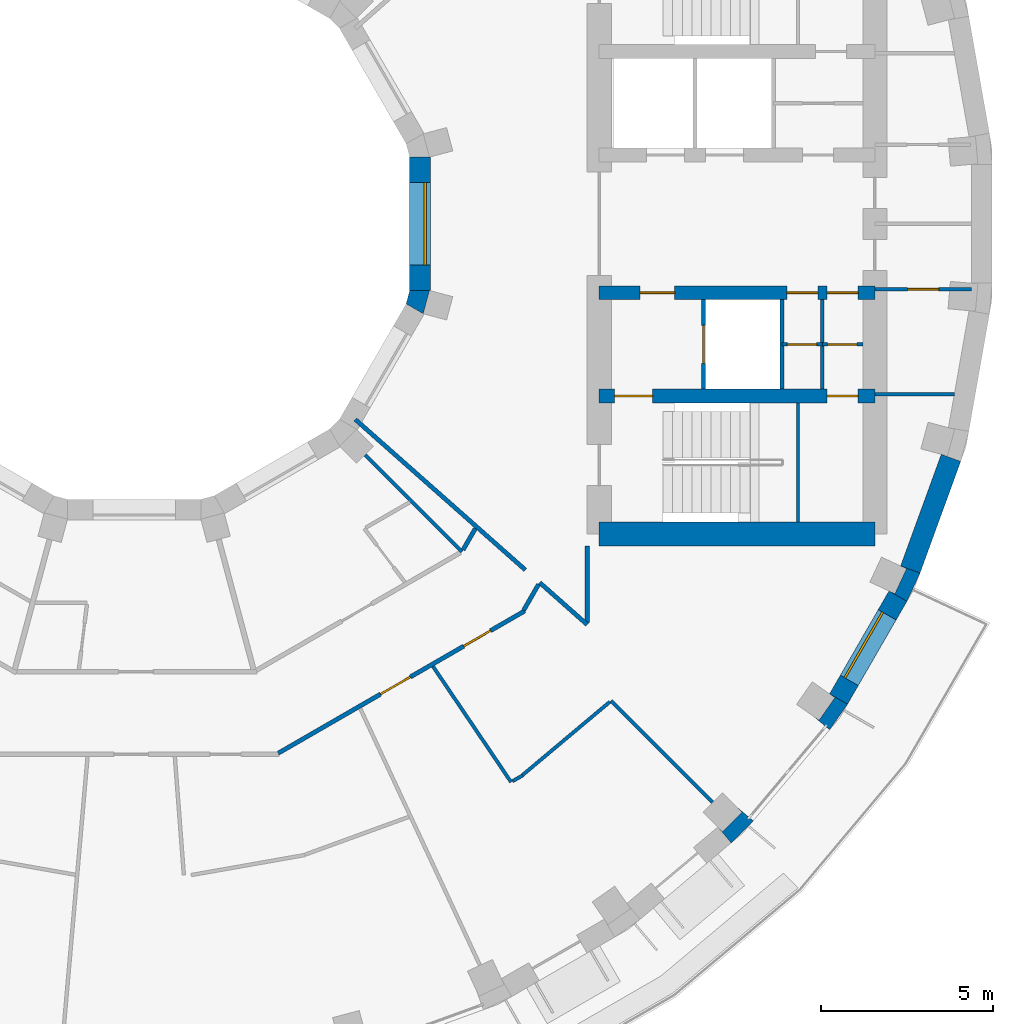
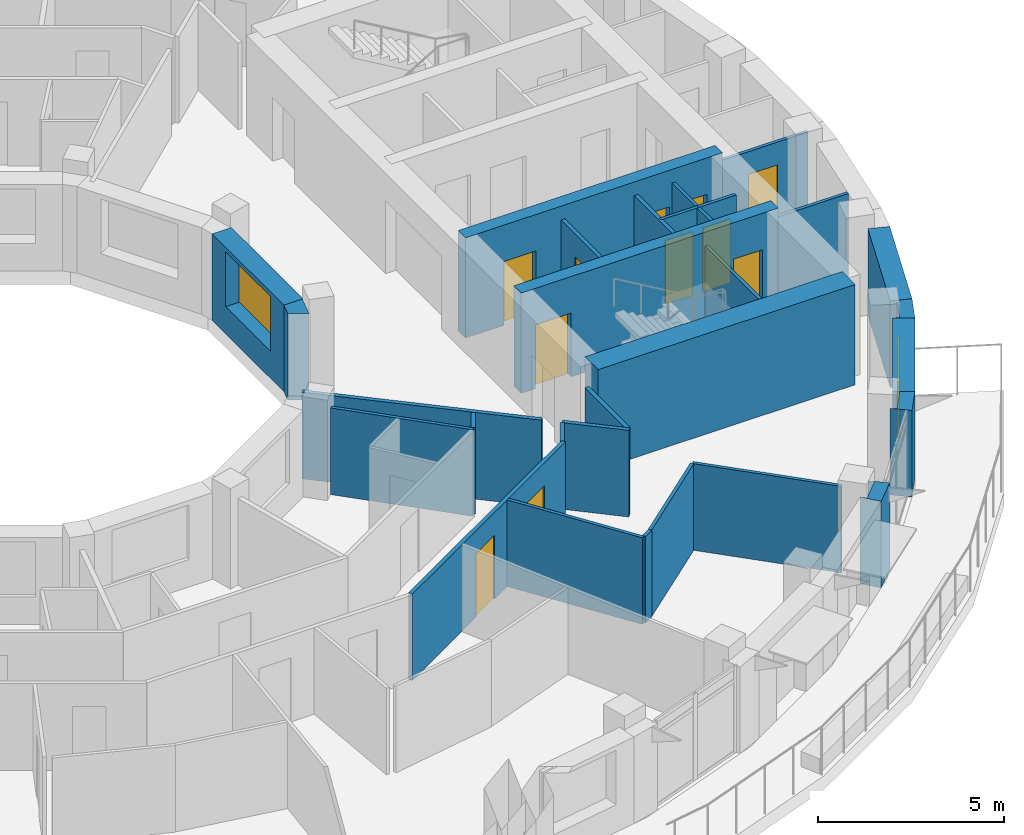
# One storey, part 9 of 15: 29 walls, 11 doors, 2 windows, 13 openings.
"""IFC4 building model written with IfcOpenShell, lengths in metres."""

import ifcopenshell
import ifcopenshell.guid

model = None  # the IFC model being written
_history = None  # IfcOwnerHistory: only IFC2X3 demands one
_inside = {}  # id of a spatial element -> (the spatial element, [elements in it])
_under = {}  # id of a project, library or spatial element -> (it, [spatial elements below it])
_declared = {}  # id of a project -> (the project, [libraries it declares])
_typed = {}  # id of a type object -> (the type object, [elements of that type])
_made_of = {}  # id of a material, layer set ... -> (it, [elements and type objects made of it])


def new_model(schema):
    """Start an empty IFC model of exactly this schema.

    Asked for "IFC4X3", IfcOpenShell would pick the latest addendum, in which some entities
    have other attributes; the version numbers below select the first issue.
    IFC2X3 requires an IfcOwnerHistory on every rooted entity: one is made here for all.
    """
    global model, _history
    if schema == "IFC4X3":
        model = ifcopenshell.file(schema_version=(4, 3, 0, 0))
    else:
        model = ifcopenshell.file(schema=schema)
    _inside.clear()
    _under.clear()
    _declared.clear()
    _typed.clear()
    _made_of.clear()
    _history = None
    if model.schema == "IFC2X3":
        org = make("IfcOrganization", Name="unknown")
        user = make(
            "IfcPersonAndOrganization",
            ThePerson=make("IfcPerson", FamilyName="unknown"),
            TheOrganization=org,
        )
        app = make(
            "IfcApplication",
            ApplicationDeveloper=org,
            Version="unknown",
            ApplicationFullName="unknown",
            ApplicationIdentifier="unknown",
        )
        _history = make(
            "IfcOwnerHistory",
            OwningUser=user,
            OwningApplication=app,
            ChangeAction="ADDED",
            CreationDate=0,
        )
    return model


def make(cls, **values):
    """One entity of the class cls with the attributes given. An attribute that is None is left unset."""
    return model.create_entity(
        cls, **{name: value for name, value in values.items() if value is not None}
    )


def rooted(cls, **values):
    """An entity with a GlobalId (a new one), such as an element, a storey or a relation."""
    return make(cls, GlobalId=ifcopenshell.guid.new(), OwnerHistory=_history, **values)


def si_unit(unit_type, name, prefix=None):
    """IfcSIUnit, for example si_unit("LENGTHUNIT", "METRE", prefix="MILLI")."""
    return make("IfcSIUnit", UnitType=unit_type, Prefix=prefix, Name=name)


def assignment(units):
    """IfcUnitAssignment: the units of a project."""
    return None if units is None else make("IfcUnitAssignment", Units=units)


def point(xyz):
    """IfcCartesianPoint."""
    return None if xyz is None else make("IfcCartesianPoint", Coordinates=xyz)


def direction(xyz):
    """IfcDirection."""
    return None if xyz is None else make("IfcDirection", DirectionRatios=xyz)


def frame(location, z_axis=None, x_axis=None):
    """IfcAxis2Placement3D, a coordinate frame: its origin and axes. An axis left out is left unset."""
    return make(
        "IfcAxis2Placement3D",
        Location=point(location),
        Axis=direction(z_axis),
        RefDirection=direction(x_axis),
    )


def frame_2d(location, x_axis=None):
    """IfcAxis2Placement2D, a coordinate frame in the plane: its origin and x axis."""
    return make(
        "IfcAxis2Placement2D", Location=point(location), RefDirection=direction(x_axis)
    )


def origin():
    """The frame at (0, 0, 0) with its axes left unset."""
    return frame((0.0, 0.0, 0.0))


def place(relative_to, where):
    """IfcLocalPlacement: puts the frame where relative to a parent placement (None: the world)."""
    return make(
        "IfcLocalPlacement", PlacementRelTo=relative_to, RelativePlacement=where
    )


def context(
    kind, dimensions, precision=None, world=None, true_north=None, identifier=None
):
    """IfcGeometricRepresentationContext, for example the 3D "Model" context."""
    return make(
        "IfcGeometricRepresentationContext",
        ContextIdentifier=identifier,
        ContextType=kind,
        CoordinateSpaceDimension=dimensions,
        Precision=precision,
        WorldCoordinateSystem=world,
        TrueNorth=true_north,
    )


def subcontext(parent, identifier, kind, view, scale=None):
    """IfcGeometricRepresentationSubContext, for example "Body" below "Model"."""
    return make(
        "IfcGeometricRepresentationSubContext",
        ContextIdentifier=identifier,
        ContextType=kind,
        ParentContext=parent,
        TargetScale=scale,
        TargetView=view,
    )


def project(units=None, contexts=None):
    """IfcProject with its units and contexts."""
    return rooted(
        "IfcProject",
        Name="project",
        RepresentationContexts=contexts,
        UnitsInContext=assignment(units),
    )


def spatial(cls, under=None, at=None, **own):
    """A site, building, storey or space (cls), placed at a placement, below another one or the project."""
    s = rooted(cls, ObjectPlacement=at, **own)
    if under is not None:
        _under.setdefault(under.id(), (under, []))[1].append(s)
    return s


def polyline(points):
    """IfcPolyline through the points."""
    return make("IfcPolyline", Points=[point(p) for p in points])


def profile(cls, at=None, kind="AREA", **sizes):
    """A parametric profile (cls). Its sizes go by their IFC names, for example OverallWidth=200.0."""
    return make(cls, ProfileType=kind, Position=at, **sizes)


def rectangle(**sizes):
    """IfcRectangleProfileDef."""
    return profile("IfcRectangleProfileDef", **sizes)


def outline(outer, holes=None, kind="AREA"):
    """IfcArbitraryClosedProfileDef: a profile drawn as a closed curve; with holes, ...WithVoids."""
    if holes is None:
        return make("IfcArbitraryClosedProfileDef", ProfileType=kind, OuterCurve=outer)
    return make(
        "IfcArbitraryProfileDefWithVoids",
        ProfileType=kind,
        OuterCurve=outer,
        InnerCurves=holes,
    )


def extrude(swept, where, along, depth):
    """IfcExtrudedAreaSolid: the profile swept, set in the frame where, extruded along a direction by depth."""
    return make(
        "IfcExtrudedAreaSolid",
        SweptArea=swept,
        Position=where,
        ExtrudedDirection=direction(along),
        Depth=depth,
    )


def shape(context_of_items, identifier, shape_type, items):
    """IfcShapeRepresentation: the items that make up one representation, for example the "Body"."""
    return make(
        "IfcShapeRepresentation",
        ContextOfItems=context_of_items,
        RepresentationIdentifier=identifier,
        RepresentationType=shape_type,
        Items=items,
    )


def material(Name=None, Category=None):
    """IfcMaterial."""
    return make("IfcMaterial", Name=Name, Category=Category)


def layer(
    of_material, thickness, ventilated=None, Name=None, Category=None, Priority=None
):
    """IfcMaterialLayer: one layer of a wall or slab, of a material (None: an air gap)."""
    return make(
        "IfcMaterialLayer",
        Material=of_material,
        LayerThickness=thickness,
        IsVentilated=ventilated,
        Name=Name,
        Category=Category,
        Priority=Priority,
    )


def layer_set(layers, Name=None):
    """IfcMaterialLayerSet."""
    return make("IfcMaterialLayerSet", MaterialLayers=layers, LayerSetName=Name)


def made_of(thing, what):
    """Note that an element or type object is made of a material, layer set ...; save() writes the relation."""
    if what is not None:
        _made_of.setdefault(what.id(), (what, []))[1].append(thing)
    return thing


def type_object(cls, material=None, **own):
    """A type object (cls), such as IfcWallType, which elements share."""
    return made_of(rooted(cls, **own), material)


def element(
    cls,
    number,
    at=None,
    inside=None,
    cuts=None,
    type_object=None,
    material=None,
    context=None,
    identifier="Body",
    shape_type=None,
    held_by="IfcProductDefinitionShape",
    body=None,
    shapes=None,
    **own,
):
    """One element of the class cls, such as IfcWall. Its Tag is "e" and its number.

    at: its placement. inside: the storey or other place that contains it. cuts: it is an
    opening in that element (IfcRelVoidsElement). A single representation is given by context,
    identifier, shape_type and body (its items); several are given by shapes. held_by: the class
    of the entity that holds the representations. save() writes the other relations.
    """
    e = rooted(cls, Tag="e%d" % number, ObjectPlacement=at, **own)
    if body is not None:
        shapes = [shape(context, identifier, shape_type, body)]
    if shapes is not None:
        e.Representation = make(held_by, Representations=shapes)
    if inside is not None:
        _inside.setdefault(inside.id(), (inside, []))[1].append(e)
    if cuts is not None:
        rooted(
            "IfcRelVoidsElement", RelatingBuildingElement=cuts, RelatedOpeningElement=e
        )
    if type_object is not None:
        _typed.setdefault(type_object.id(), (type_object, []))[1].append(e)
    return made_of(e, material)


def fill(opening, filler):
    """IfcRelFillsElement: the door or window that sits in an opening."""
    return rooted(
        "IfcRelFillsElement",
        RelatingOpeningElement=opening,
        RelatedBuildingElement=filler,
    )


def aggregate(whole, parts):
    """IfcRelAggregates: a whole, such as a stair, and the parts it consists of."""
    return rooted("IfcRelAggregates", RelatingObject=whole, RelatedObjects=parts)


def save(model, path):
    """Write the relations noted so far, then the file.

    IfcRelAggregates (storeys below a building ...), IfcRelContainedInSpatialStructure (elements
    in a storey), IfcRelDefinesByType, IfcRelAssociatesMaterial and IfcRelDeclares: one each for
    every whole, place, type object, material and project.
    """
    for whole, parts in _under.values():
        aggregate(whole, parts)
    for where, things in _inside.values():
        rooted(
            "IfcRelContainedInSpatialStructure",
            RelatedElements=things,
            RelatingStructure=where,
        )
    for kind, things in _typed.values():
        rooted("IfcRelDefinesByType", RelatedObjects=things, RelatingType=kind)
    for what, things in _made_of.values():
        rooted("IfcRelAssociatesMaterial", RelatedObjects=things, RelatingMaterial=what)
    for by, libraries in _declared.values():
        rooted("IfcRelDeclares", RelatingContext=by, RelatedDefinitions=libraries)
    model.write(path)


model = new_model("IFC4")

# Units and contexts
model_context = context("Model", 3, precision=1e-05, world=origin(), true_north=direction((0.0, 1.0)))
body_context = subcontext(model_context, "Body", "Model", "MODEL_VIEW")
ifc_project = project(units=[si_unit("LENGTHUNIT", "METRE"), si_unit("AREAUNIT", "SQUARE_METRE"), si_unit("VOLUMEUNIT", "CUBIC_METRE"), si_unit("PLANEANGLEUNIT", "RADIAN"), si_unit("MASSUNIT", "GRAM", prefix="KILO")], contexts=[model_context])

# Site, building, storey
site_placement = place(None, origin())
site = spatial("IfcSite", under=ifc_project, at=site_placement, CompositionType="ELEMENT")
building_placement = place(site_placement, origin())
building = spatial("IfcBuilding", under=site, at=building_placement, Name="Saqina Gate Tower", CompositionType="ELEMENT")
storey_placement = place(building_placement, frame((0.0, 0.0, 164.10009765625)))
storey = spatial("IfcBuildingStorey", under=building, at=storey_placement, Name="L46", CompositionType="ELEMENT", Elevation=164.10009765625)

# Walls
ifc_material_1 = material(Name="Brick masonry (buff)", Category="masonry")
wall_type_1 = type_object("IfcWallType", Name="BRICK PIER COPING BUFF", PredefinedType="SOLIDWALL", material=ifc_material_1)
wall_1_placement = place(storey_placement, origin())
element("IfcWall", 1, at=wall_1_placement, inside=storey, type_object=wall_type_1, Name="Pier cap L46 column 32", PredefinedType="SOLIDWALL", context=body_context, shape_type="SweptSolid", body=[
    extrude(outline(polyline([(17.969482421875, -17.329833984375), (17.510009765625, -16.944091796875), (17.642333984375, -17.07666015625), (17.07666015625, -17.642333984375), (16.944091796875, -17.510009765625), (17.329833984375, -17.969482421875), (17.969482421875, -17.329833984375)])), origin(), (0.0, 0.0, 1.0), 2.849853515625),
])
wall_2_placement = place(storey_placement, origin())
element("IfcWall", 2, at=wall_2_placement, inside=storey, type_object=wall_type_1, Name="Pier cap L46 column 33", PredefinedType="SOLIDWALL", context=body_context, shape_type="SweptSolid", body=[
    extrude(outline(polyline([(20.18701171875, -14.687255859375), (20.705810546875, -13.9462890625), (20.186279296875, -13.646240234375), (20.339599609375, -13.753662109375), (19.880859375, -14.408935546875), (19.727294921875, -14.301513671875), (20.18701171875, -14.687255859375)])), origin(), (0.0, 0.0, 1.0), 2.849853515625),
])
wall_3_placement = place(storey_placement, origin())
element("IfcWall", 3, at=wall_3_placement, inside=storey, type_object=wall_type_1, Name="Pier cap L46 column 34", PredefinedType="SOLIDWALL", context=body_context, shape_type="SweptSolid", body=[
    extrude(outline(polyline([(22.81298828125, -10.138916015625), (22.249267578125, -9.93359375), (22.4189453125, -10.0126953125), (22.080810546875, -10.73779296875), (21.9111328125, -10.65869140625), (22.4306640625, -10.958740234375), (22.81298828125, -10.138916015625)])), origin(), (0.0, 0.0, 1.0), 2.849853515625),
])
ifc_material_2 = material(Name="Gypsum board on steel studs", Category="steel")
ifc_layer_1 = layer(ifc_material_2, 0.10009765625)
ifc_layer_set_1 = layer_set([ifc_layer_1], Name="CORE PARTITION")
wall_type_2 = type_object("IfcWallType", Name="CORE PARTITION", PredefinedType="PARTITIONING", material=ifc_layer_set_1)
wall_4_placement = place(storey_placement, frame((21.5, -4.949951171875, 0.0), z_axis=(0.0, 0.0, 1.0), x_axis=(1.0, 0.0, 0.0)))
element("IfcWall", 4, at=wall_4_placement, inside=storey, type_object=wall_type_2, Name="L46-CP-E03", PredefinedType="PARTITIONING", context=body_context, shape_type="SweptSolid", body=[
    extrude(rectangle(XDim=2.306884765625, YDim=0.10009765625, at=frame_2d((1.1533203125, 0.0))), origin(), (0.0, 0.0, 1.0), 2.849853515625),
])

# Wall, opening, door
wall_5_placement = place(storey_placement, frame((21.5, -1.89990234375, 0.0), z_axis=(0.0, 0.0, 1.0), x_axis=(1.0, 0.0, 0.0)))
wall_5 = element("IfcWall", 5, at=wall_5_placement, inside=storey, type_object=wall_type_2, Name="L46-CP-E04", PredefinedType="PARTITIONING", context=body_context, shape_type="SweptSolid", body=[
    extrude(rectangle(XDim=2.804931640625, YDim=0.10009765625, at=frame_2d((1.40234375, 0.0))), origin(), (0.0, 0.0, 1.0), 2.849853515625),
])
opening_1_placement = place(wall_5_placement, frame((0.952392578125, 0.0, 0.0)))
opening_1 = element("IfcOpeningElement", 6, at=opening_1_placement, cuts=wall_5, Name="Opening G13-D97", PredefinedType="OPENING", context=body_context, shape_type="SweptSolid", body=[
    extrude(rectangle(XDim=0.89990234375, YDim=2.10009765625, at=frame_2d((0.449951171875, 1.050048828125))), frame((0.0, 0.06201171875, 0.0), z_axis=(0.0, -1.0, 0.0), x_axis=(1.0, 0.0, 0.0)), (0.0, 0.0, 1.0), 0.1240234375),
])
ifc_material_3 = material(Name="Steel-framed fire door leaf, EI 60", Category="steel")
door_type_1 = type_object("IfcDoorType", Name="SERVICE ROOM DOOR 900", OperationType="SINGLE_SWING_LEFT", PredefinedType="DOOR", material=ifc_material_3)
door_1_placement = place(opening_1_placement, frame((0.89990234375, 0.0, 0.0), z_axis=(0.0, 0.0, 1.0), x_axis=(-1.0, 0.0, 0.0)))
door_1 = element("IfcDoor", 7, at=door_1_placement, inside=storey, type_object=door_type_1, Name="L46-CD-E07", OperationType="SINGLE_SWING_RIGHT", OverallHeight=2.10009765625, OverallWidth=0.89990234375, PredefinedType="DOOR", context=body_context, shape_type="SweptSolid", body=[
    extrude(rectangle(XDim=0.89990234375, YDim=2.10009765625, at=frame_2d((0.449951171875, 1.050048828125))), frame((0.0, 0.02490234375, 0.0), z_axis=(0.0, -1.0, 0.0), x_axis=(1.0, 0.0, 0.0)), (0.0, 0.0, 1.0), 0.050048828125),
])
fill(opening_1, door_1)

# Wall
wall_6_placement = place(storey_placement, frame((19.97998046875, -4.800048828125, 0.0), z_axis=(0.0, 0.0, 1.0), x_axis=(0.0, 1.0, 0.0)))
element("IfcWall", 8, at=wall_6_placement, inside=storey, type_object=wall_type_2, Name="L46-CP-E10", PredefinedType="PARTITIONING", context=body_context, shape_type="SweptSolid", body=[
    extrude(rectangle(XDim=2.60009765625, YDim=0.10009765625, at=frame_2d((1.300048828125, 0.0))), origin(), (0.0, 0.0, 1.0), 2.849853515625),
])

# Wall, opening, door
wall_7_placement = place(storey_placement, frame((18.81005859375, -3.5, 0.0), z_axis=(0.0, 0.0, 1.0), x_axis=(1.0, 0.0, 0.0)))
wall_7 = element("IfcWall", 9, at=wall_7_placement, inside=storey, type_object=wall_type_2, Name="L46-CP-E12", PredefinedType="PARTITIONING", context=body_context, shape_type="SweptSolid", body=[
    extrude(rectangle(XDim=1.169921875, YDim=0.10009765625, at=frame_2d((0.5849609375, 0.0))), origin(), (0.0, 0.0, 1.0), 2.849853515625),
])
opening_2_placement = place(wall_7_placement, frame((0.14990234375, 0.0, 0.0)))
opening_2 = element("IfcOpeningElement", 10, at=opening_2_placement, cuts=wall_7, Name="Opening G13-D101", PredefinedType="OPENING", context=body_context, shape_type="SweptSolid", body=[
    extrude(rectangle(XDim=0.85009765625, YDim=2.10009765625, at=frame_2d((0.425048828125, 1.050048828125))), frame((0.0, 0.06201171875, 0.0), z_axis=(0.0, -1.0, 0.0), x_axis=(1.0, 0.0, 0.0)), (0.0, 0.0, 1.0), 0.1240234375),
])
ifc_material_4 = material(Name="Steel-framed fire door leaf, EI 60", Category="steel")
door_type_2 = type_object("IfcDoorType", Name="SERVICE ROOM DOOR 850", OperationType="SINGLE_SWING_LEFT", PredefinedType="DOOR", material=ifc_material_4)
door_2_placement = place(opening_2_placement, frame((0.85009765625, 0.0, 0.0), z_axis=(0.0, 0.0, 1.0), x_axis=(-1.0, 0.0, 0.0)))
door_2 = element("IfcDoor", 11, at=door_2_placement, inside=storey, type_object=door_type_2, Name="L46-CD-E11", OperationType="SINGLE_SWING_RIGHT", OverallHeight=2.10009765625, OverallWidth=0.85009765625, PredefinedType="DOOR", context=body_context, shape_type="SweptSolid", body=[
    extrude(rectangle(XDim=0.85009765625, YDim=2.10009765625, at=frame_2d((0.425048828125, 1.050048828125))), frame((0.0, 0.02490234375, 0.0), z_axis=(0.0, -1.0, 0.0), x_axis=(1.0, 0.0, 0.0)), (0.0, 0.0, 1.0), 0.050048828125),
])
fill(opening_2, door_2)

wall_8_placement = place(storey_placement, frame((19.97998046875, -3.5, 0.0), z_axis=(0.0, 0.0, 1.0), x_axis=(1.0, 0.0, 0.0)))
wall_8 = element("IfcWall", 12, at=wall_8_placement, inside=storey, type_object=wall_type_2, Name="L46-CP-E13", PredefinedType="PARTITIONING", context=body_context, shape_type="SweptSolid", body=[
    extrude(rectangle(XDim=1.169921875, YDim=0.10009765625, at=frame_2d((0.5849609375, 0.0))), origin(), (0.0, 0.0, 1.0), 2.849853515625),
])
opening_3_placement = place(wall_8_placement, frame((0.14990234375, 0.0, 0.0)))
opening_3 = element("IfcOpeningElement", 13, at=opening_3_placement, cuts=wall_8, Name="Opening G13-D102", PredefinedType="OPENING", context=body_context, shape_type="SweptSolid", body=[
    extrude(rectangle(XDim=0.85009765625, YDim=2.10009765625, at=frame_2d((0.425048828125, 1.050048828125))), frame((0.0, 0.06201171875, 0.0), z_axis=(0.0, -1.0, 0.0), x_axis=(1.0, 0.0, 0.0)), (0.0, 0.0, 1.0), 0.1240234375),
])
door_3_placement = place(opening_3_placement, frame((0.85009765625, 0.0, 0.0), z_axis=(0.0, 0.0, 1.0), x_axis=(-1.0, 0.0, 0.0)))
door_3 = element("IfcDoor", 14, at=door_3_placement, inside=storey, type_object=door_type_2, Name="L46-CD-E12", OperationType="SINGLE_SWING_LEFT", OverallHeight=2.10009765625, OverallWidth=0.85009765625, PredefinedType="DOOR", context=body_context, shape_type="SweptSolid", body=[
    extrude(rectangle(XDim=0.85009765625, YDim=2.10009765625, at=frame_2d((0.425048828125, 1.050048828125))), frame((0.0, 0.02490234375, 0.0), z_axis=(0.0, -1.0, 0.0), x_axis=(1.0, 0.0, 0.0)), (0.0, 0.0, 1.0), 0.050048828125),
])
fill(opening_3, door_3)

# Wall, opening, window
ifc_material_5 = material(Name="Brick masonry (buff)", Category="masonry")
ifc_layer_2 = layer(ifc_material_5, 0.60009765625)
ifc_layer_set_2 = layer_set([ifc_layer_2], Name="FW-BRICK-BUFF")
wall_type_3 = type_object("IfcWallType", Name="FW-BRICK-BUFF", PredefinedType="SOLIDWALL", material=ifc_layer_set_2)
wall_9_placement = place(storey_placement, frame((20.446044921875, -13.796142578125, 0.0), z_axis=(0.0, 0.0, 1.0), x_axis=(0.499998129301, 0.86602648383, 0.0)))
wall_9 = element("IfcWall", 15, at=wall_9_placement, inside=storey, type_object=wall_type_3, Name="Facade wall L46 facet 33", PredefinedType="SOLIDWALL", context=body_context, shape_type="SweptSolid", body=[
    extrude(rectangle(XDim=3.44970703125, YDim=0.60009765625, at=frame_2d((1.724853515625, 0.0))), origin(), (0.0, 0.0, 1.0), 2.849853515625),
])
opening_4_placement = place(wall_9_placement, frame((0.625, 0.0, 0.89990234375)))
opening_4 = element("IfcOpeningElement", 16, at=opening_4_placement, cuts=wall_9, Name="Opening G13-W22", PredefinedType="OPENING", context=body_context, shape_type="SweptSolid", body=[
    extrude(rectangle(XDim=2.199951171875, YDim=1.800048828125, at=frame_2d((1.10009765625, 0.89990234375))), frame((0.0, 0.31201171875, 0.0), z_axis=(0.0, -1.0, 0.0), x_axis=(1.0, 0.0, 0.0)), (0.0, 0.0, 1.0), 0.6240234375),
])
ifc_material_6 = material(Name="Aluminium glazing", Category="aluminium")
window_type_1 = type_object("IfcWindowType", Name="WN-C", PartitioningType="SINGLE_PANEL", PredefinedType="WINDOW", material=ifc_material_6)
window_1_placement = place(opening_4_placement, origin())
window_1 = element("IfcWindow", 17, at=window_1_placement, inside=storey, type_object=window_type_1, Name="Window L46 facet 33", OverallHeight=1.800048828125, OverallWidth=2.199951171875, PartitioningType="SINGLE_PANEL", PredefinedType="WINDOW", context=body_context, shape_type="SweptSolid", body=[
    extrude(rectangle(XDim=2.199951171875, YDim=1.800048828125, at=frame_2d((1.10009765625, 0.89990234375))), frame((0.0, 0.179931640625, 0.0), z_axis=(0.0, -1.0, 0.0), x_axis=(1.0, 0.0, 0.0)), (0.0, 0.0, 1.0), 0.06005859375),
])
fill(opening_4, window_1)

# Wall
ifc_material_7 = material(Name="Glazed ceramic tile (white)", Category="ceramic")
ifc_layer_3 = layer(ifc_material_7, 0.60009765625)
ifc_layer_set_3 = layer_set([ifc_layer_3], Name="FW-TILE-WH")
wall_type_4 = type_object("IfcWallType", Name="FW-TILE-WH", PredefinedType="SOLIDWALL", material=ifc_layer_set_3)
wall_10_placement = place(storey_placement, frame((22.531005859375, -10.0361328125, 0.0), z_axis=(0.0, 0.0, 1.0), x_axis=(0.342032843455, 0.93968799822, 0.0)))
element("IfcWall", 18, at=wall_10_placement, inside=storey, type_object=wall_type_4, Name="Facade wall L46 facet 34", PredefinedType="SOLIDWALL", context=body_context, shape_type="SweptSolid", body=[
    extrude(rectangle(XDim=3.44970703125, YDim=0.60009765625, at=frame_2d((1.724853515625, 0.0))), origin(), (0.0, 0.0, 1.0), 2.849853515625),
])

# Wall, opening, window
ifc_material_8 = material(Name="Glazed ceramic tile", Category="ceramic")
ifc_layer_4 = layer(ifc_material_8, 0.60009765625)
ifc_layer_set_4 = layer_set([ifc_layer_4], Name="IW-TILE")
wall_type_5 = type_object("IfcWallType", Name="IW-TILE", PredefinedType="SOLIDWALL", material=ifc_layer_set_4)
wall_11_placement = place(storey_placement, frame((8.300048828125, -1.934814453125, 0.0), z_axis=(0.0, 0.0, 1.0), x_axis=(0.0, 1.0, 0.0)))
wall_11 = element("IfcWall", 19, at=wall_11_placement, inside=storey, type_object=wall_type_5, Name="Well wall L46 facet 12", PredefinedType="SOLIDWALL", context=body_context, shape_type="SweptSolid", body=[
    extrude(rectangle(XDim=3.86962890625, YDim=0.60009765625, at=frame_2d((1.934814453125, 0.0))), origin(), (0.0, 0.0, 1.0), 2.849853515625),
])
opening_5_placement = place(wall_11_placement, frame((0.73486328125, 0.0, 0.89990234375)))
opening_5 = element("IfcOpeningElement", 20, at=opening_5_placement, cuts=wall_11, Name="Opening G13-W34", PredefinedType="OPENING", context=body_context, shape_type="SweptSolid", body=[
    extrude(rectangle(XDim=2.39990234375, YDim=1.800048828125, at=frame_2d((1.199951171875, 0.89990234375))), frame((0.0, 0.31201171875, 0.0), z_axis=(0.0, -1.0, 0.0), x_axis=(1.0, 0.0, 0.0)), (0.0, 0.0, 1.0), 0.6240234375),
])
ifc_material_9 = material(Name="Aluminium glazing", Category="aluminium")
window_type_2 = type_object("IfcWindowType", Name="WN-W", PartitioningType="SINGLE_PANEL", PredefinedType="WINDOW", material=ifc_material_9)
window_2_placement = place(opening_5_placement, origin())
window_2 = element("IfcWindow", 21, at=window_2_placement, inside=storey, type_object=window_type_2, Name="Well window L46 facet 12", OverallHeight=1.800048828125, OverallWidth=2.39990234375, PartitioningType="SINGLE_PANEL", PredefinedType="WINDOW", context=body_context, shape_type="SweptSolid", body=[
    extrude(rectangle(XDim=2.39990234375, YDim=1.800048828125, at=frame_2d((1.199951171875, 0.89990234375))), frame((0.0, -0.119873046875, 0.0), z_axis=(0.0, -1.0, 0.0), x_axis=(1.0, 0.0, 0.0)), (0.0, 0.0, 1.0), 0.06005859375),
])
fill(opening_5, window_2)

# Walls
ifc_material_10 = material(Name="Gypsum board on steel studs, 100 mm", Category="steel")
ifc_layer_5 = layer(ifc_material_10, 0.10009765625)
ifc_layer_set_5 = layer_set([ifc_layer_5], Name="PARTITION 100")
wall_type_6 = type_object("IfcWallType", Name="PARTITION 100", PredefinedType="PARTITIONING", material=ifc_layer_set_5)
wall_12_placement = place(storey_placement, frame((8.674072265625, -12.8466796875, 0.0), z_axis=(0.0, 0.0, 1.0), x_axis=(0.559460436722, -0.828857056279, 0.0)))
element("IfcWall", 22, at=wall_12_placement, inside=storey, type_object=wall_type_6, Name="PARTITION PW3-12", PredefinedType="PARTITIONING", context=body_context, shape_type="SweptSolid", body=[
    extrude(rectangle(XDim=4.0517578125, YDim=0.10009765625, at=frame_2d((2.02587890625, 0.0))), origin(), (0.0, 0.0, 1.0), 2.849853515625),
])
wall_13_placement = place(storey_placement, frame((6.7119140625, -6.7119140625, 0.0), z_axis=(0.0, 0.0, 1.0), x_axis=(0.707106781187, -0.707106781187, 0.0)))
element("IfcWall", 23, at=wall_13_placement, inside=storey, type_object=wall_type_6, Name="PARTITION PW3-19", PredefinedType="PARTITIONING", context=body_context, shape_type="SweptSolid", body=[
    extrude(rectangle(XDim=3.967041015625, YDim=0.10009765625, at=frame_2d((1.9833984375, 0.0))), origin(), (0.0, 0.0, 1.0), 2.849853515625),
])
wall_14_placement = place(storey_placement, frame((13.844970703125, -13.844970703125, 0.0), z_axis=(0.0, 0.0, 1.0), x_axis=(0.707106781187, -0.707106781187, 0.0)))
element("IfcWall", 24, at=wall_14_placement, inside=storey, type_object=wall_type_6, Name="PARTITION PW3-20", PredefinedType="PARTITIONING", context=body_context, shape_type="SweptSolid", body=[
    extrude(rectangle(XDim=4.16015625, YDim=0.10009765625, at=frame_2d((2.080078125, 0.0))), origin(), (0.0, 0.0, 1.0), 2.849853515625),
])
wall_15_placement = place(storey_placement, frame((10.984375, -16.179931640625, 0.0), z_axis=(0.0, 0.0, 1.0), x_axis=(0.865942374699, 0.500143783026, 0.0)))
element("IfcWall", 25, at=wall_15_placement, inside=storey, type_object=wall_type_6, Name="PARTITION PW3-42", PredefinedType="PARTITIONING", context=body_context, shape_type="SweptSolid", body=[
    extrude(rectangle(XDim=0.33447265625, YDim=0.10009765625, at=frame_2d((0.167236328125, 0.0))), origin(), (0.0, 0.0, 1.0), 2.849853515625),
])
wall_16_placement = place(storey_placement, frame((11.2685546875, -16.00634765625, 0.0), z_axis=(0.0, 0.0, 1.0), x_axis=(0.766157600424, 0.642652729951, 0.0)))
element("IfcWall", 26, at=wall_16_placement, inside=storey, type_object=wall_type_6, Name="PARTITION PW3-49", PredefinedType="PARTITIONING", context=body_context, shape_type="SweptSolid", body=[
    extrude(rectangle(XDim=3.31298828125, YDim=0.10009765625, at=frame_2d((1.656494140625, 0.0))), origin(), (0.0, 0.0, 1.0), 2.849853515625),
])
ifc_material_11 = material(Name="Gypsum board on steel studs, 125 mm, fire rated", Category="steel")
ifc_layer_6 = layer(ifc_material_11, 0.125)
ifc_layer_set_6 = layer_set([ifc_layer_6], Name="PARTITION EI 30 125")
wall_type_7 = type_object("IfcWallType", Name="PARTITION EI 30 125", PredefinedType="PARTITIONING", material=ifc_layer_set_6)
wall_17_placement = place(storey_placement, frame((6.419921875, -5.679931640625, 0.0), z_axis=(0.0, 0.0, 1.0), x_axis=(0.748956953748, -0.662618654607, 0.0)))
element("IfcWall", 27, at=wall_17_placement, inside=storey, type_object=wall_type_7, Name="PARTITION PW1-08", PredefinedType="PARTITIONING", context=body_context, shape_type="SweptSolid", body=[
    extrude(rectangle(XDim=6.588623046875, YDim=0.125, at=frame_2d((3.29443359375, 0.0))), origin(), (0.0, 0.0, 1.0), 2.849853515625),
])
wall_18_placement = place(storey_placement, frame((11.77001953125, -10.4130859375, 0.0), z_axis=(0.0, 0.0, 1.0), x_axis=(0.748920683101, -0.662659649008, 0.0)))
element("IfcWall", 28, at=wall_18_placement, inside=storey, type_object=wall_type_7, Name="PARTITION PW1-09", PredefinedType="PARTITIONING", context=body_context, shape_type="SweptSolid", body=[
    extrude(rectangle(XDim=1.842529296875, YDim=0.125, at=frame_2d((0.92138671875, 0.0))), origin(), (0.0, 0.0, 1.0), 2.849853515625),
])

# Wall, openings, doors
wall_19_placement = place(storey_placement, frame((4.18017578125, -15.36865234375, 0.0), z_axis=(0.0, 0.0, 1.0), x_axis=(0.86608029966, 0.499904905498, 0.0)))
wall_19 = element("IfcWall", 29, at=wall_19_placement, inside=storey, type_object=wall_type_7, Name="PARTITION PW1-24", PredefinedType="PARTITIONING", context=body_context, shape_type="SweptSolid", body=[
    extrude(rectangle(XDim=8.2626953125, YDim=0.125, at=frame_2d((4.13134765625, 0.0))), origin(), (0.0, 0.0, 1.0), 2.849853515625),
])
opening_6_placement = place(wall_19_placement, frame((3.432373046875, 0.0, 0.0)))
opening_6 = element("IfcOpeningElement", 30, at=opening_6_placement, cuts=wall_19, Name="Opening G13-D37", PredefinedType="OPENING", context=body_context, shape_type="SweptSolid", body=[
    extrude(rectangle(XDim=1.0, YDim=2.10009765625, at=frame_2d((0.5, 1.050048828125))), frame((0.0, 0.074462890625, 0.0), z_axis=(0.0, -1.0, 0.0), x_axis=(1.0, 0.0, 0.0)), (0.0, 0.0, 1.0), 0.14892578125),
])
opening_7_placement = place(wall_19_placement, frame((6.218505859375, 0.0, 0.0)))
opening_7 = element("IfcOpeningElement", 31, at=opening_7_placement, cuts=wall_19, Name="Opening G13-D40", PredefinedType="OPENING", context=body_context, shape_type="SweptSolid", body=[
    extrude(rectangle(XDim=0.89990234375, YDim=2.10009765625, at=frame_2d((0.449951171875, 1.050048828125))), frame((0.0, 0.074462890625, 0.0), z_axis=(0.0, -1.0, 0.0), x_axis=(1.0, 0.0, 0.0)), (0.0, 0.0, 1.0), 0.14892578125),
])
ifc_material_12 = material(Name="Fire door leaf EI 30, 1000 mm")
door_type_3 = type_object("IfcDoorType", Name="DOOR 1000 EI 30", OperationType="SINGLE_SWING_LEFT", PredefinedType="DOOR", material=ifc_material_12)
door_4_placement = place(opening_6_placement, frame((1.0, 0.0, 0.0), z_axis=(0.0, 0.0, 1.0), x_axis=(-1.0, 0.0, 0.0)))
door_4 = element("IfcDoor", 32, at=door_4_placement, inside=storey, type_object=door_type_3, Name="DOOR G13-D37", OperationType="SINGLE_SWING_RIGHT", OverallHeight=2.10009765625, OverallWidth=1.0, PredefinedType="DOOR", context=body_context, shape_type="SweptSolid", body=[
    extrude(rectangle(XDim=1.0, YDim=2.10009765625, at=frame_2d((0.5, 1.050048828125))), frame((0.0, 0.02490234375, 0.0), z_axis=(0.0, -1.0, 0.0), x_axis=(1.0, 0.0, 0.0)), (0.0, 0.0, 1.0), 0.050048828125),
])
fill(opening_6, door_4)
ifc_material_13 = material(Name="Fire door leaf EI 30, 900 mm")
door_type_4 = type_object("IfcDoorType", Name="DOOR 900 EI 30", OperationType="SINGLE_SWING_LEFT", PredefinedType="DOOR", material=ifc_material_13)
door_5_placement = place(opening_7_placement, frame((0.89990234375, 0.0, 0.0), z_axis=(0.0, 0.0, 1.0), x_axis=(-1.0, 0.0, 0.0)))
door_5 = element("IfcDoor", 33, at=door_5_placement, inside=storey, type_object=door_type_4, Name="DOOR G13-D40", OperationType="SINGLE_SWING_LEFT", OverallHeight=2.10009765625, OverallWidth=0.89990234375, PredefinedType="DOOR", context=body_context, shape_type="SweptSolid", body=[
    extrude(rectangle(XDim=0.89990234375, YDim=2.10009765625, at=frame_2d((0.449951171875, 1.050048828125))), frame((0.0, 0.02490234375, 0.0), z_axis=(0.0, -1.0, 0.0), x_axis=(1.0, 0.0, 0.0)), (0.0, 0.0, 1.0), 0.050048828125),
])
fill(opening_7, door_5)

# Walls
wall_20_placement = place(storey_placement, frame((9.54833984375, -9.462890625, 0.0), z_axis=(0.0, 0.0, 1.0), x_axis=(0.499821239653, 0.866128586522, 0.0)))
element("IfcWall", 34, at=wall_20_placement, inside=storey, type_object=wall_type_7, Name="PARTITION PW1-34", PredefinedType="PARTITIONING", context=body_context, shape_type="SweptSolid", body=[
    extrude(rectangle(XDim=0.713134765625, YDim=0.125, at=frame_2d((0.3564453125, 0.0))), origin(), (0.0, 0.0, 1.0), 2.849853515625),
])
wall_21_placement = place(storey_placement, frame((11.30517578125, -11.219970703125, 0.0), z_axis=(0.0, 0.0, 1.0), x_axis=(0.499162724547, 0.86650826564, 0.0)))
element("IfcWall", 35, at=wall_21_placement, inside=storey, type_object=wall_type_7, Name="PARTITION PW1-37", PredefinedType="PARTITIONING", context=body_context, shape_type="SweptSolid", body=[
    extrude(rectangle(XDim=0.86865234375, YDim=0.125, at=frame_2d((0.434326171875, 0.0))), origin(), (0.0, 0.0, 1.0), 2.849853515625),
])
wall_22_placement = place(storey_placement, frame((13.14990234375, -11.571533203125, 0.0), z_axis=(0.0, 0.0, 1.0), x_axis=(0.0, 1.0, 0.0)))
element("IfcWall", 36, at=wall_22_placement, inside=storey, type_object=wall_type_7, Name="PARTITION PW1-38", PredefinedType="PARTITIONING", context=body_context, shape_type="SweptSolid", body=[
    extrude(rectangle(XDim=2.221435546875, YDim=0.125, at=frame_2d((1.11083984375, 0.0))), origin(), (0.0, 0.0, 1.0), 2.849853515625),
])

# Wall, opening, door
ifc_material_14 = material(Name="Autoclaved aerated concrete block", Category="concrete")
ifc_layer_7 = layer(ifc_material_14, 0.1201171875)
ifc_layer_set_7 = layer_set([ifc_layer_7], Name="SHAFT PARTITION")
wall_type_8 = type_object("IfcWallType", Name="SHAFT PARTITION", PredefinedType="PARTITIONING", material=ifc_layer_set_7)
wall_23_placement = place(storey_placement, frame((16.530029296875, -4.800048828125, 0.0), z_axis=(0.0, 0.0, 1.0), x_axis=(0.0, 1.0, 0.0)))
wall_23 = element("IfcWall", 37, at=wall_23_placement, inside=storey, type_object=wall_type_8, Name="L46-CP-E08", PredefinedType="PARTITIONING", context=body_context, shape_type="SweptSolid", body=[
    extrude(rectangle(XDim=2.60009765625, YDim=0.1201171875, at=frame_2d((1.300048828125, 0.0))), origin(), (0.0, 0.0, 1.0), 2.849853515625),
])
opening_8_placement = place(wall_23_placement, frame((0.75, 0.0, 0.0)))
opening_8 = element("IfcOpeningElement", 38, at=opening_8_placement, cuts=wall_23, Name="Opening G13-LD3", PredefinedType="OPENING", context=body_context, shape_type="SweptSolid", body=[
    extrude(rectangle(XDim=1.10009765625, YDim=2.10009765625, at=frame_2d((0.550048828125, 1.050048828125))), frame((0.0, 0.072021484375, 0.0), z_axis=(0.0, -1.0, 0.0), x_axis=(1.0, 0.0, 0.0)), (0.0, 0.0, 1.0), 0.14404296875),
])
ifc_material_15 = material(Name="Stainless steel", Category="steel")
door_type_5 = type_object("IfcDoorType", Name="LANDING DOOR", OperationType="DOUBLE_DOOR_SLIDING", PredefinedType="DOOR", material=ifc_material_15)
door_6_placement = place(opening_8_placement, origin())
door_6 = element("IfcDoor", 39, at=door_6_placement, inside=storey, type_object=door_type_5, Name="LANDING DOOR FF1", OperationType="DOUBLE_DOOR_SLIDING", OverallHeight=2.10009765625, OverallWidth=1.10009765625, PredefinedType="DOOR", context=body_context, shape_type="SweptSolid", body=[
    extrude(rectangle(XDim=1.10009765625, YDim=2.10009765625, at=frame_2d((0.550048828125, 1.050048828125))), frame((0.0, 0.02490234375, 0.0), z_axis=(0.0, -1.0, 0.0), x_axis=(1.0, 0.0, 0.0)), (0.0, 0.0, 1.0), 0.050048828125),
])
fill(opening_8, door_6)

# Walls
wall_24_placement = place(storey_placement, frame((18.81005859375, -4.800048828125, 0.0), z_axis=(0.0, 0.0, 1.0), x_axis=(0.0, 1.0, 0.0)))
element("IfcWall", 40, at=wall_24_placement, inside=storey, type_object=wall_type_8, Name="L46-CP-E09", PredefinedType="PARTITIONING", context=body_context, shape_type="SweptSolid", body=[
    extrude(rectangle(XDim=2.60009765625, YDim=0.1201171875, at=frame_2d((1.300048828125, 0.0))), origin(), (0.0, 0.0, 1.0), 2.849853515625),
])
ifc_material_16 = material(Name="Autoclaved aerated concrete block", Category="concrete")
ifc_layer_8 = layer(ifc_material_16, 0.10009765625)
ifc_layer_set_8 = layer_set([ifc_layer_8], Name="STAIR ENCLOSURE WALL")
wall_type_9 = type_object("IfcWallType", Name="STAIR ENCLOSURE WALL", PredefinedType="PARTITIONING", material=ifc_layer_set_8)
wall_25_placement = place(storey_placement, frame((19.27001953125, -8.64990234375, 0.0), z_axis=(0.0, 0.0, 1.0), x_axis=(0.0, 1.0, 0.0)))
element("IfcWall", 41, at=wall_25_placement, inside=storey, type_object=wall_type_9, Name="L46-CP-E15", PredefinedType="PARTITIONING", context=body_context, shape_type="SweptSolid", body=[
    extrude(rectangle(XDim=3.449951171875, YDim=0.10009765625, at=frame_2d((1.72509765625, 0.0))), origin(), (0.0, 0.0, 1.0), 2.849853515625),
])

# Wall, openings, doors
ifc_material_17 = material(Name="Concrete C60/75", Category="concrete")
ifc_layer_9 = layer(ifc_material_17, 0.39990234375)
ifc_layer_set_9 = layer_set([ifc_layer_9], Name="Concrete C60/75")
wall_type_10 = type_object("IfcWallType", Name="STR-CORE WALL-C-I", PredefinedType="SHEAR", material=ifc_layer_set_9)
wall_26_placement = place(storey_placement, frame((13.5, -5.0, 0.0), z_axis=(0.0, 0.0, 1.0), x_axis=(1.0, 0.0, 0.0)))
wall_26 = element("IfcWall", 42, at=wall_26_placement, inside=storey, type_object=wall_type_10, Name="CORE WALL L46 E-X2", PredefinedType="SHEAR", context=body_context, shape_type="SweptSolid", body=[
    extrude(rectangle(XDim=8.0, YDim=0.39990234375, at=frame_2d((4.0, 0.0))), origin(), (0.0, 0.0, 1.0), 3.2998046875),
])
opening_9_placement = place(wall_26_placement, frame((6.614990234375, 0.0, 0.0)))
opening_9 = element("IfcOpeningElement", 43, at=opening_9_placement, cuts=wall_26, Name="Opening G13-D127", PredefinedType="OPENING", context=body_context, shape_type="SweptSolid", body=[
    extrude(rectangle(XDim=0.89990234375, YDim=2.10009765625, at=frame_2d((0.449951171875, 1.050048828125))), frame((0.0, 0.2119140625, 0.0), z_axis=(0.0, -1.0, 0.0), x_axis=(1.0, 0.0, 0.0)), (0.0, 0.0, 1.0), 0.423828125),
])
opening_10_placement = place(wall_26_placement, frame((0.449951171875, 0.0, 0.0)))
opening_10 = element("IfcOpeningElement", 44, at=opening_10_placement, cuts=wall_26, Name="Opening G13-D103", PredefinedType="OPENING", context=body_context, shape_type="SweptSolid", body=[
    extrude(rectangle(XDim=1.10009765625, YDim=2.10009765625, at=frame_2d((0.550048828125, 1.050048828125))), frame((0.0, 0.2119140625, 0.0), z_axis=(0.0, -1.0, 0.0), x_axis=(1.0, 0.0, 0.0)), (0.0, 0.0, 1.0), 0.423828125),
])
ifc_material_18 = material(Name="Steel", Category="steel")
door_type_6 = type_object("IfcDoorType", Name="FIRE LOBBY DOOR EI 60 WIDE", OperationType="SINGLE_SWING_LEFT", PredefinedType="DOOR", material=ifc_material_18)
door_7_placement = place(opening_10_placement, frame((1.10009765625, 0.0, 0.0), z_axis=(0.0, 0.0, 1.0), x_axis=(-1.0, 0.0, 0.0)))
door_7 = element("IfcDoor", 45, at=door_7_placement, inside=storey, type_object=door_type_6, Name="L46-CD-E14", OperationType="SINGLE_SWING_RIGHT", OverallHeight=2.10009765625, OverallWidth=1.10009765625, PredefinedType="DOOR", context=body_context, shape_type="SweptSolid", body=[
    extrude(rectangle(XDim=1.10009765625, YDim=2.10009765625, at=frame_2d((0.550048828125, 1.050048828125))), frame((0.0, 0.02490234375, 0.0), z_axis=(0.0, -1.0, 0.0), x_axis=(1.0, 0.0, 0.0)), (0.0, 0.0, 1.0), 0.050048828125),
])
fill(opening_10, door_7)
door_8_placement = place(opening_9_placement, frame((0.89990234375, 0.0, 0.0), z_axis=(0.0, 0.0, 1.0), x_axis=(-1.0, 0.0, 0.0)))
door_8 = element("IfcDoor", 46, at=door_8_placement, inside=storey, type_object=door_type_1, Name="L46-CD-E13", OperationType="SINGLE_SWING_LEFT", OverallHeight=2.10009765625, OverallWidth=0.89990234375, PredefinedType="DOOR", context=body_context, shape_type="SweptSolid", body=[
    extrude(rectangle(XDim=0.89990234375, YDim=2.10009765625, at=frame_2d((0.449951171875, 1.050048828125))), frame((0.0, 0.02490234375, 0.0), z_axis=(0.0, -1.0, 0.0), x_axis=(1.0, 0.0, 0.0)), (0.0, 0.0, 1.0), 0.050048828125),
])
fill(opening_9, door_8)

wall_27_placement = place(storey_placement, frame((13.5, -2.0, 0.0), z_axis=(0.0, 0.0, 1.0), x_axis=(1.0, 0.0, 0.0)))
wall_27 = element("IfcWall", 47, at=wall_27_placement, inside=storey, type_object=wall_type_10, Name="CORE WALL L46 E-L2", PredefinedType="SHEAR", context=body_context, shape_type="SweptSolid", body=[
    extrude(rectangle(XDim=8.0, YDim=0.39990234375, at=frame_2d((4.0, 0.0))), origin(), (0.0, 0.0, 1.0), 3.2998046875),
])
opening_11_placement = place(wall_27_placement, frame((1.18994140625, 0.0, 0.0)))
opening_11 = element("IfcOpeningElement", 48, at=opening_11_placement, cuts=wall_27, Name="Opening G13-D92", PredefinedType="OPENING", context=body_context, shape_type="SweptSolid", body=[
    extrude(rectangle(XDim=1.0, YDim=2.10009765625, at=frame_2d((0.5, 1.050048828125))), frame((0.0, 0.2119140625, 0.0), z_axis=(0.0, -1.0, 0.0), x_axis=(1.0, 0.0, 0.0)), (0.0, 0.0, 1.0), 0.423828125),
])
opening_12_placement = place(wall_27_placement, frame((5.445068359375, 0.0, 0.0)))
opening_12 = element("IfcOpeningElement", 49, at=opening_12_placement, cuts=wall_27, Name="Opening G13-D93", PredefinedType="OPENING", context=body_context, shape_type="SweptSolid", body=[
    extrude(rectangle(XDim=0.89990234375, YDim=2.10009765625, at=frame_2d((0.449951171875, 1.050048828125))), frame((0.0, 0.2119140625, 0.0), z_axis=(0.0, -1.0, 0.0), x_axis=(1.0, 0.0, 0.0)), (0.0, 0.0, 1.0), 0.423828125),
])
opening_13_placement = place(wall_27_placement, frame((6.614990234375, 0.0, 0.0)))
opening_13 = element("IfcOpeningElement", 50, at=opening_13_placement, cuts=wall_27, Name="Opening G13-D94", PredefinedType="OPENING", context=body_context, shape_type="SweptSolid", body=[
    extrude(rectangle(XDim=0.89990234375, YDim=2.10009765625, at=frame_2d((0.449951171875, 1.050048828125))), frame((0.0, 0.2119140625, 0.0), z_axis=(0.0, -1.0, 0.0), x_axis=(1.0, 0.0, 0.0)), (0.0, 0.0, 1.0), 0.423828125),
])
ifc_material_19 = material(Name="Steel", Category="steel")
door_type_7 = type_object("IfcDoorType", Name="FIRE LOBBY DOOR EI 60", OperationType="SINGLE_SWING_LEFT", PredefinedType="DOOR", material=ifc_material_19)
door_9_placement = place(opening_11_placement, origin())
door_9 = element("IfcDoor", 51, at=door_9_placement, inside=storey, type_object=door_type_7, Name="L46-CD-E02", OperationType="SINGLE_SWING_LEFT", OverallHeight=2.10009765625, OverallWidth=1.0, PredefinedType="DOOR", context=body_context, shape_type="SweptSolid", body=[
    extrude(rectangle(XDim=1.0, YDim=2.10009765625, at=frame_2d((0.5, 1.050048828125))), frame((0.0, 0.02490234375, 0.0), z_axis=(0.0, -1.0, 0.0), x_axis=(1.0, 0.0, 0.0)), (0.0, 0.0, 1.0), 0.050048828125),
])
fill(opening_11, door_9)
door_10_placement = place(opening_12_placement, frame((0.89990234375, 0.0, 0.0), z_axis=(0.0, 0.0, 1.0), x_axis=(-1.0, 0.0, 0.0)))
door_10 = element("IfcDoor", 52, at=door_10_placement, inside=storey, type_object=door_type_1, Name="L46-CD-E03", OperationType="SINGLE_SWING_RIGHT", OverallHeight=2.10009765625, OverallWidth=0.89990234375, PredefinedType="DOOR", context=body_context, shape_type="SweptSolid", body=[
    extrude(rectangle(XDim=0.89990234375, YDim=2.10009765625, at=frame_2d((0.449951171875, 1.050048828125))), frame((0.0, 0.02490234375, 0.0), z_axis=(0.0, -1.0, 0.0), x_axis=(1.0, 0.0, 0.0)), (0.0, 0.0, 1.0), 0.050048828125),
])
fill(opening_12, door_10)
door_11_placement = place(opening_13_placement, frame((0.89990234375, 0.0, 0.0), z_axis=(0.0, 0.0, 1.0), x_axis=(-1.0, 0.0, 0.0)))
door_11 = element("IfcDoor", 53, at=door_11_placement, inside=storey, type_object=door_type_1, Name="L46-CD-E04", OperationType="SINGLE_SWING_LEFT", OverallHeight=2.10009765625, OverallWidth=0.89990234375, PredefinedType="DOOR", context=body_context, shape_type="SweptSolid", body=[
    extrude(rectangle(XDim=0.89990234375, YDim=2.10009765625, at=frame_2d((0.449951171875, 1.050048828125))), frame((0.0, 0.02490234375, 0.0), z_axis=(0.0, -1.0, 0.0), x_axis=(1.0, 0.0, 0.0)), (0.0, 0.0, 1.0), 0.050048828125),
])
fill(opening_13, door_11)

# Walls
ifc_material_20 = material(Name="Concrete C60/75", Category="concrete")
ifc_layer_10 = layer(ifc_material_20, 0.699951171875)
ifc_layer_set_10 = layer_set([ifc_layer_10], Name="Concrete C60/75")
wall_type_11 = type_object("IfcWallType", Name="STR-CORE WALL-C-O", PredefinedType="SHEAR", material=ifc_layer_set_10)
wall_28_placement = place(storey_placement, frame((13.5, -9.0, 0.0), z_axis=(0.0, 0.0, 1.0), x_axis=(1.0, 0.0, 0.0)))
element("IfcWall", 54, at=wall_28_placement, inside=storey, type_object=wall_type_11, Name="CORE WALL L46 E-SE", PredefinedType="SHEAR", context=body_context, shape_type="SweptSolid", body=[
    extrude(rectangle(XDim=8.0, YDim=0.699951171875, at=frame_2d((4.0, 0.0))), origin(), (0.0, 0.0, 1.0), 3.2998046875),
])
ifc_material_21 = material(Name="Glazed ceramic tile", Category="ceramic")
wall_type_12 = type_object("IfcWallType", Name="TILE PIER COPING", PredefinedType="SOLIDWALL", material=ifc_material_21)
wall_29_placement = place(storey_placement, origin())
element("IfcWall", 55, at=wall_29_placement, inside=storey, type_object=wall_type_12, Name="Well pier cap L46 column 12", PredefinedType="SOLIDWALL", context=body_context, shape_type="SweptSolid", body=[
    extrude(outline(polyline([(8.573486328125, -1.934814453125), (8.0, -1.934814453125), (7.895751953125, -2.32421875), (8.392333984375, -2.611083984375), (8.573486328125, -1.934814453125)])), origin(), (0.0, 0.0, 1.0), 2.849853515625),
])

save(model, "model.ifc")
